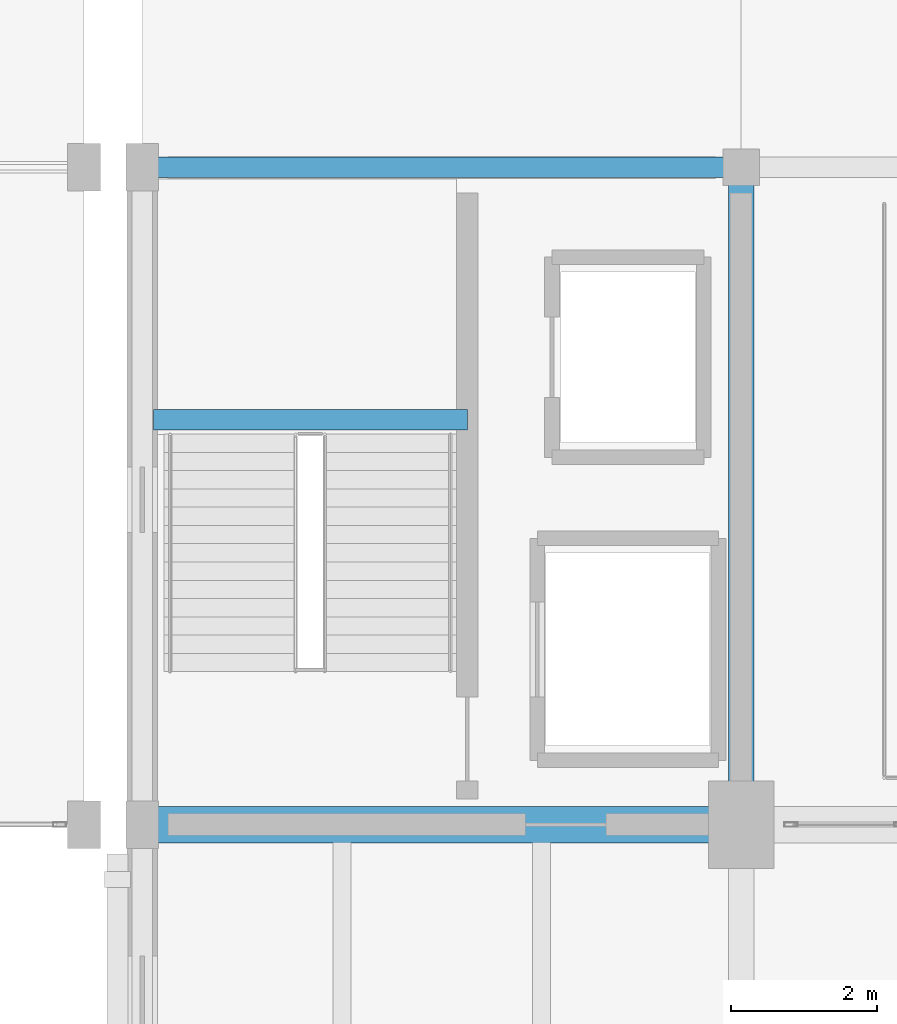
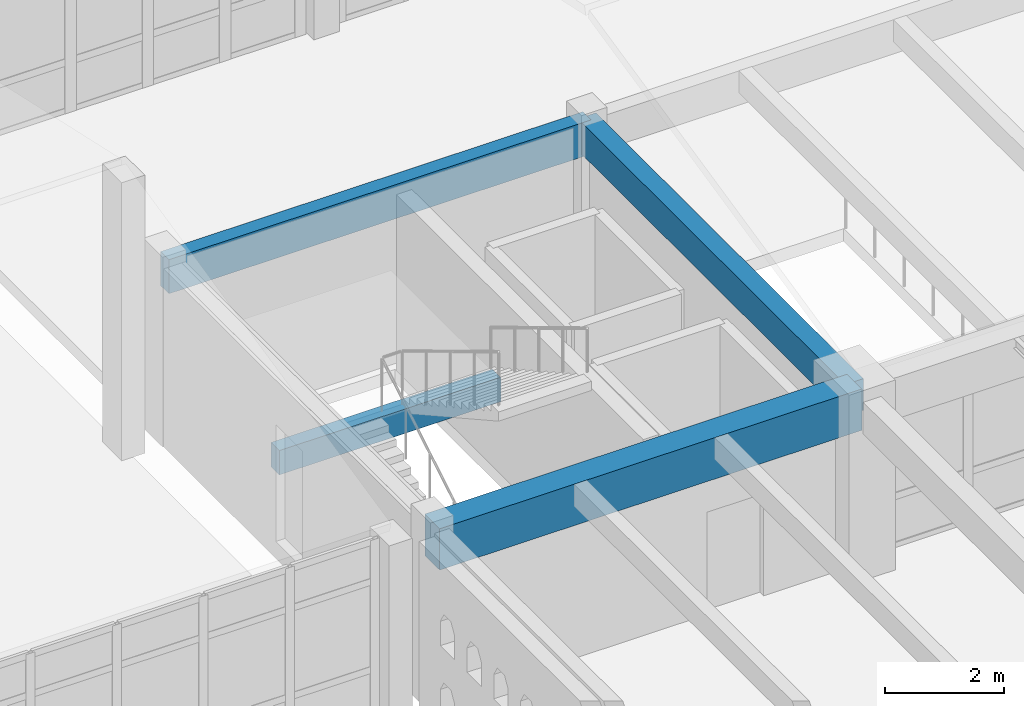
# One storey, part 50 of 156: 4 beams.
"""IFC4 building model written with IfcOpenShell, lengths in metres."""

from ifc_helpers import new_model, si_unit, direction, frame, origin, origin_2d, place, context, subcontext, project, spatial, rectangle, extrude, material, material_profile, profile_set, type_object, element, save


model = new_model("IFC4")

# Units and contexts
model_context = context("Model", 3, precision=1e-05, world=origin(), true_north=direction((0.0, 1.0)))
body_context = subcontext(model_context, "Body", "Model", "MODEL_VIEW")
ifc_project = project(units=[si_unit("LENGTHUNIT", "METRE"), si_unit("AREAUNIT", "SQUARE_METRE"), si_unit("VOLUMEUNIT", "CUBIC_METRE"), si_unit("PLANEANGLEUNIT", "RADIAN"), si_unit("MASSUNIT", "GRAM", prefix="KILO")], contexts=[model_context])

# Site, building, storey
site_placement = place(None, origin())
site = spatial("IfcSite", under=ifc_project, at=site_placement, CompositionType="ELEMENT")
building_placement = place(site_placement, origin())
building = spatial("IfcBuilding", under=site, at=building_placement, Name="Ornek Quay Market", CompositionType="ELEMENT")
storey_placement = place(building_placement, frame((0.0, 0.0, 4.5)))
storey = spatial("IfcBuildingStorey", under=building, at=storey_placement, Name="L01", CompositionType="ELEMENT", Elevation=4.5)

# Beams
ifc_material_1 = material(Name="Concrete C35/45", Category="concrete")
ifc_material_profile_1 = material_profile(ifc_material_1, rectangle(XDim=0.35009765625, YDim=0.64990234375, at=origin_2d()), Name="RC 350x650", Category="concrete")
ifc_profile_set_1 = profile_set([ifc_material_profile_1], Name="Concrete C35/45")
beam_type_1 = type_object("IfcBeamType", Name="BM-CONC-350x650", PredefinedType="BEAM", material=ifc_profile_set_1)
beam_1_placement = place(storey_placement, frame((63.0, 92.0, 3.3349609375), z_axis=(0.0, 1.0, 0.0), x_axis=(-1.0, 0.0, 0.0)))
element("IfcBeam", 1, at=beam_1_placement, inside=storey, type_object=beam_type_1, Name="Primary beam B-CN1-120", PredefinedType="BEAM", context=body_context, shape_type="SweptSolid", body=[
    extrude(rectangle(XDim=0.35009765625, YDim=0.64990234375, at=origin_2d()), origin(), (0.0, 0.0, 1.0), 9.0),
])
ifc_material_2 = material(Name="Concrete C40/50", Category="concrete")
ifc_material_profile_2 = material_profile(ifc_material_2, rectangle(XDim=0.5, YDim=0.85009765625, at=origin_2d()), Name="RC 500x850", Category="concrete")
ifc_profile_set_2 = profile_set([ifc_material_profile_2], Name="Concrete C40/50")
beam_type_2 = type_object("IfcBeamType", Name="BM-GAL-500x850", PredefinedType="BEAM", material=ifc_profile_set_2)
beam_2_placement = place(storey_placement, frame((54.800048828125, 92.0, 3.235107421875), z_axis=(1.0, 0.0, 0.0), x_axis=(0.0, 1.0, 0.0)))
element("IfcBeam", 2, at=beam_2_placement, inside=storey, type_object=beam_type_2, Name="Primary beam B-GL1-077", PredefinedType="BEAM", context=body_context, shape_type="SweptSolid", body=[
    extrude(rectangle(XDim=0.5, YDim=0.85009765625, at=origin_2d()), origin(), (0.0, 0.0, 1.0), 8.199951171875),
])
ifc_material_profile_3 = material_profile(ifc_material_1, rectangle(XDim=0.280029296875, YDim=0.5, at=origin_2d()), Name="RC 280x500", Category="concrete")
ifc_profile_set_3 = profile_set([ifc_material_profile_3], Name="Concrete C35/45")
beam_type_3 = type_object("IfcBeamType", Name="BM-SEC-280x500", PredefinedType="JOIST", material=ifc_profile_set_3)
beam_3_placement = place(storey_placement, frame((54.949951171875, 97.5419921875, 1.534912109375), z_axis=(1.0, 0.0, 0.0), x_axis=(0.0, 1.0, 0.0)))
element("IfcBeam", 3, at=beam_3_placement, inside=storey, type_object=beam_type_3, Name="Stair landing beam BL-06", PredefinedType="JOIST", context=body_context, shape_type="SweptSolid", body=[
    extrude(rectangle(XDim=0.280029296875, YDim=0.5, at=origin_2d()), origin(), (0.0, 0.0, 1.0), 4.300048828125),
])
ifc_material_profile_4 = material_profile(ifc_material_1, rectangle(XDim=0.280029296875, YDim=0.699951171875, at=origin_2d()), Name="RC 280x700", Category="concrete")
ifc_profile_set_4 = profile_set([ifc_material_profile_4], Name="Concrete C35/45")
beam_type_4 = type_object("IfcBeamType", Name="BM-SPN-280x700", PredefinedType="SPANDREL", material=ifc_profile_set_4)
beam_4_placement = place(storey_placement, frame((54.800048828125, 101.0, 3.31005859375), z_axis=(1.0, 0.0, 0.0), x_axis=(0.0, 1.0, 0.0)))
element("IfcBeam", 4, at=beam_4_placement, inside=storey, type_object=beam_type_4, Name="Primary beam B-SP2-051", PredefinedType="SPANDREL", context=body_context, shape_type="SweptSolid", body=[
    extrude(rectangle(XDim=0.280029296875, YDim=0.699951171875, at=origin_2d()), origin(), (0.0, 0.0, 1.0), 8.199951171875),
])

save(model, "model.ifc")
